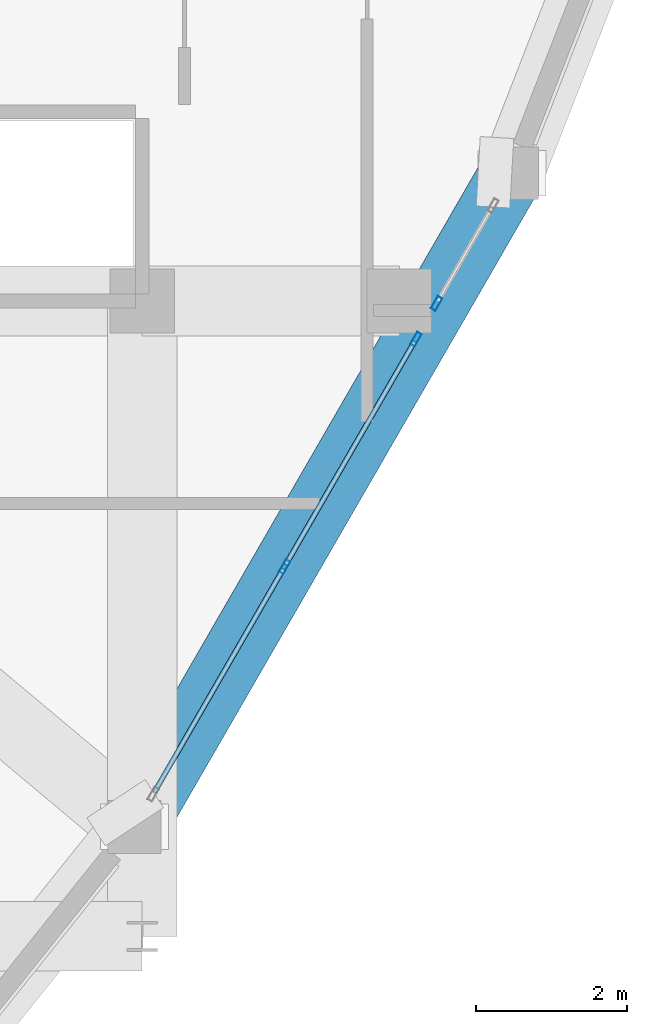
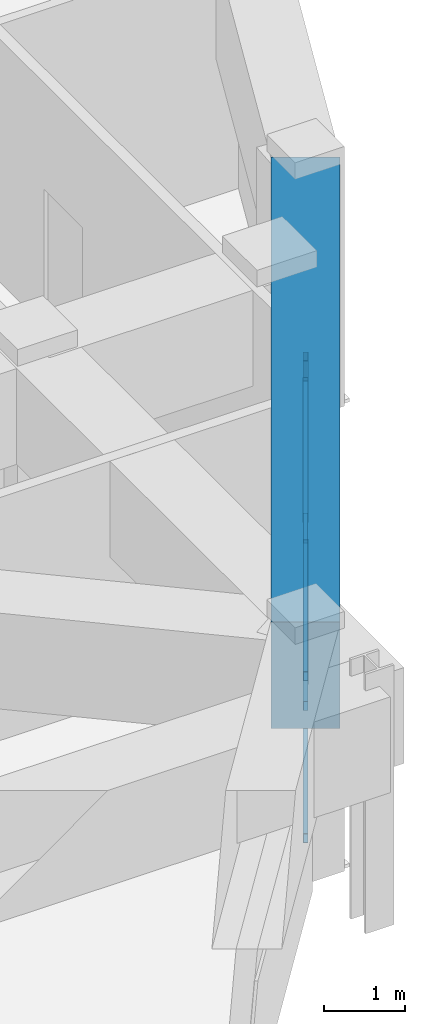
# One storey, part 4 of 13: 7 members, 1 beam, 2 elements without a shape of their own.
"""IFC4 building model written with IfcOpenShell, lengths in metres."""

from ifc_helpers import new_model, si_unit, derived_unit, direction, frame, origin, origin_2d, place, context, subcontext, project, spatial, rectangle, hollow_rectangle, extrude, source, transform, mapped, material, layer, layer_set, material_profile, profile_set, type_object, element, aggregate, save


model = new_model("IFC4")

# Units and contexts
model_context = context("Model", 3, precision=1e-05, world=origin(), true_north=direction((0.0, 1.0)))
body_context = subcontext(model_context, "Body", "Model", "MODEL_VIEW")
ifc_project = project(units=[si_unit("LENGTHUNIT", "METRE"), si_unit("AREAUNIT", "SQUARE_METRE"), si_unit("VOLUMEUNIT", "CUBIC_METRE"), si_unit("PLANEANGLEUNIT", "RADIAN"), si_unit("MASSUNIT", "GRAM", prefix="KILO"), derived_unit("THERMALTRANSMITTANCEUNIT", [(si_unit("POWERUNIT", "WATT"), 1), (si_unit("LENGTHUNIT", "METRE"), -2), (si_unit("THERMODYNAMICTEMPERATUREUNIT", "KELVIN"), -1)])], contexts=[model_context])

# Site, building, storey
site_placement = place(None, origin())
site = spatial("IfcSite", under=ifc_project, at=site_placement, CompositionType="ELEMENT")
building_placement = place(site_placement, origin())
building = spatial("IfcBuilding", under=site, at=building_placement, Name="Korsvarv Bourse and Concert Hall", CompositionType="ELEMENT")
storey_placement = place(building_placement, frame((0.0, 0.0, 292.199951171875)))
storey = spatial("IfcBuildingStorey", under=building, at=storey_placement, Name="L76", CompositionType="ELEMENT", Elevation=292.199951171875)

# Beam
ifc_material_1 = material(Name="Concrete C55/67", Category="concrete")
ifc_material_profile_1 = material_profile(ifc_material_1, rectangle(XDim=0.85009765625, YDim=1.60009765625, at=origin_2d()), Name="RC-BM 850x1600")
ifc_profile_set_1 = profile_set([ifc_material_profile_1], Name="Concrete C55/67")
beam_type = type_object("IfcBeamType", Name="BM-TR1B", PredefinedType="BEAM", material=ifc_profile_set_1)
shared_shape_1 = source(origin(), body_context, "Body", "SweptSolid", [
    extrude(rectangle(XDim=0.85009765625, YDim=1.60009765625, at=origin_2d()), origin(), (0.0, 0.0, 1.0), 9.97802734375),
])
beam_placement = place(storey_placement, frame((44.2978515625, 25.448486328125, 2.85009765625), z_axis=(0.500004855171, 0.866022600632, 0.0), x_axis=(-0.866022600632, 0.500004855171, 0.0)))
element("IfcBeam", 1, at=beam_placement, inside=storey, type_object=beam_type, Name="L76 beam B-TR2", PredefinedType="BEAM", context=body_context, shape_type="MappedRepresentation", body=[
    mapped(shared_shape_1, transform((0.0, 0.0, 0.0), scale=1.0)),
])

# Curtain wall, members
ifc_material_2 = material(Name="Anodised aluminium and triple low-E glazing", Category="glass")
ifc_layer = layer(ifc_material_2, 0.22998046875)
ifc_layer_set = layer_set([ifc_layer], Name="Anodised aluminium and triple low-E glazing")
curtain_wall_type = type_object("IfcCurtainWallType", Name="CW-SYS-6", PredefinedType="NOTDEFINED", material=ifc_layer_set)
curtain_wall_1_placement = place(storey_placement, origin())
curtain_wall_1 = element("IfcCurtainWall", 2, at=curtain_wall_1_placement, inside=storey, type_object=curtain_wall_type, Name="L76 CW6 curtain wall CW-L76-CRN11-1", PredefinedType="NOTDEFINED")
ifc_material_3 = material(Name="Extruded aluminium EN AW-6063 T66", Category="aluminium")
ifc_material_profile_2 = material_profile(ifc_material_3, hollow_rectangle(XDim=0.070068359375, YDim=0.18994140625, WallThickness=0.0048828125, at=origin_2d()), Name="ALU-M 70x190")
ifc_profile_set_2 = profile_set([ifc_material_profile_2], Name="Extruded aluminium EN AW-6063 T66")
member_type_1 = type_object("IfcMemberType", Name="CWM-190", PredefinedType="MULLION", material=ifc_profile_set_2)
shared_shape_2 = source(origin(), body_context, "Body", "SweptSolid", [
    extrude(hollow_rectangle(XDim=0.070068359375, YDim=0.18994140625, WallThickness=0.0048828125, at=origin_2d()), origin(), (0.0, 0.0, 1.0), 2.050048828125),
])
member_1_placement = place(storey_placement, frame((46.282958984375, 28.88671875, 0.0), z_axis=(0.0, 0.0, 1.0), x_axis=(-0.86602704815, 0.499997151864, 0.0)))
member_1 = element("IfcMember", 3, at=member_1_placement, type_object=member_type_1, Name="CW6 mullion 2", PredefinedType="MULLION", context=body_context, shape_type="MappedRepresentation", body=[
    mapped(shared_shape_2, transform((0.0, 0.0, 0.0), scale=1.0)),
])
member_2_placement = place(storey_placement, frame((48.01953125, 31.894775390625, 0.0), z_axis=(0.0, 0.0, 1.0), x_axis=(-0.86602704815, 0.499997151864, 0.0)))
member_2 = element("IfcMember", 4, at=member_2_placement, type_object=member_type_1, Name="CW6 mullion 3", PredefinedType="MULLION", context=body_context, shape_type="MappedRepresentation", body=[
    mapped(shared_shape_2, transform((0.0, 0.0, 0.0), scale=1.0)),
])

# Curtain wall, member
curtain_wall_2_placement = place(storey_placement, origin())
curtain_wall_2 = element("IfcCurtainWall", 5, at=curtain_wall_2_placement, inside=storey, type_object=curtain_wall_type, Name="L76 CW6 curtain wall CW-L76-CRN11-2", PredefinedType="NOTDEFINED")
member_3_placement = place(storey_placement, frame((48.29248046875, 32.367431640625, 0.0), z_axis=(0.0, 0.0, 1.0), x_axis=(-0.866016043039, 0.500016212936, 0.0)))
member_3 = element("IfcMember", 6, at=member_3_placement, type_object=member_type_1, Name="CW6 mullion 1", PredefinedType="MULLION", context=body_context, shape_type="MappedRepresentation", body=[
    mapped(shared_shape_2, transform((0.0, 0.0, 0.0), scale=1.0)),
])
aggregate(curtain_wall_2, [member_3])

# Member
ifc_material_profile_3 = material_profile(ifc_material_3, hollow_rectangle(XDim=0.06494140625, YDim=0.139892578125, WallThickness=0.00390625, at=origin_2d()), Name="ALU-T 65x140")
ifc_profile_set_3 = profile_set([ifc_material_profile_3], Name="Extruded aluminium EN AW-6063 T66")
member_type_2 = type_object("IfcMemberType", Name="CWT-140", PredefinedType="USERDEFINED", material=ifc_profile_set_3)
shared_shape_3 = source(origin(), body_context, "Body", "SweptSolid", [
    extrude(hollow_rectangle(XDim=0.06494140625, YDim=0.139892578125, WallThickness=0.00390625, at=origin_2d()), origin(), (0.0, 0.0, 1.0), 3.4033203125),
])
member_4_placement = place(storey_placement, frame((46.30029296875, 28.9169921875, 0.032470703125), z_axis=(0.500012242915, 0.866018335219, 0.0), x_axis=(-0.866018335219, 0.500012242915, 0.0)))
member_4 = element("IfcMember", 7, at=member_4_placement, type_object=member_type_2, Name="CW6 transom 2.1", ObjectType="TRANSOM", PredefinedType="USERDEFINED", context=body_context, shape_type="MappedRepresentation", body=[
    mapped(shared_shape_3, transform((0.0, 0.0, 0.0), scale=1.0)),
])

member_5_placement = place(storey_placement, frame((46.30029296875, 28.9169921875, 2.017578125), z_axis=(0.500012242915, 0.866018335219, 0.0), x_axis=(-0.866018335219, 0.500012242915, 0.0)))
member_5 = element("IfcMember", 8, at=member_5_placement, type_object=member_type_2, Name="CW6 transom 2.2", ObjectType="TRANSOM", PredefinedType="USERDEFINED", context=body_context, shape_type="MappedRepresentation", body=[
    mapped(shared_shape_3, transform((0.0, 0.0, 0.0), scale=1.0)),
])

shared_shape_4 = source(origin(), body_context, "Body", "SweptSolid", [
    extrude(hollow_rectangle(XDim=0.06494140625, YDim=0.139892578125, WallThickness=0.00390625, at=origin_2d()), origin(), (0.0, 0.0, 1.0), 3.403564453125),
])
member_6_placement = place(storey_placement, frame((44.563720703125, 25.908935546875, 0.032470703125), z_axis=(0.499981180652, 0.866036268868, 0.0), x_axis=(-0.866036268868, 0.499981180652, 0.0)))
member_6 = element("IfcMember", 9, at=member_6_placement, type_object=member_type_2, Name="CW6 transom 1.1", ObjectType="TRANSOM", PredefinedType="USERDEFINED", context=body_context, shape_type="MappedRepresentation", body=[
    mapped(shared_shape_4, transform((0.0, 0.0, 0.0), scale=1.0)),
])

member_7_placement = place(storey_placement, frame((44.563720703125, 25.908935546875, 2.017578125), z_axis=(0.499981180652, 0.866036268868, 0.0), x_axis=(-0.866036268868, 0.499981180652, 0.0)))
member_7 = element("IfcMember", 10, at=member_7_placement, type_object=member_type_2, Name="CW6 transom 1.2", ObjectType="TRANSOM", PredefinedType="USERDEFINED", context=body_context, shape_type="MappedRepresentation", body=[
    mapped(shared_shape_4, transform((0.0, 0.0, 0.0), scale=1.0)),
])

aggregate(curtain_wall_1, [member_1, member_2, member_6, member_7, member_4, member_5])

save(model, "model.ifc")
